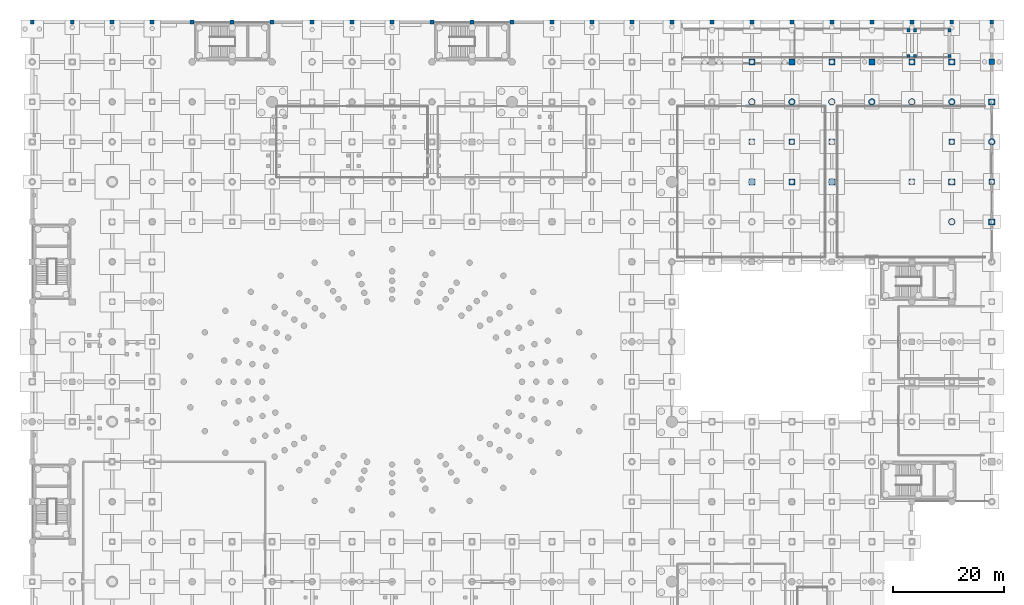
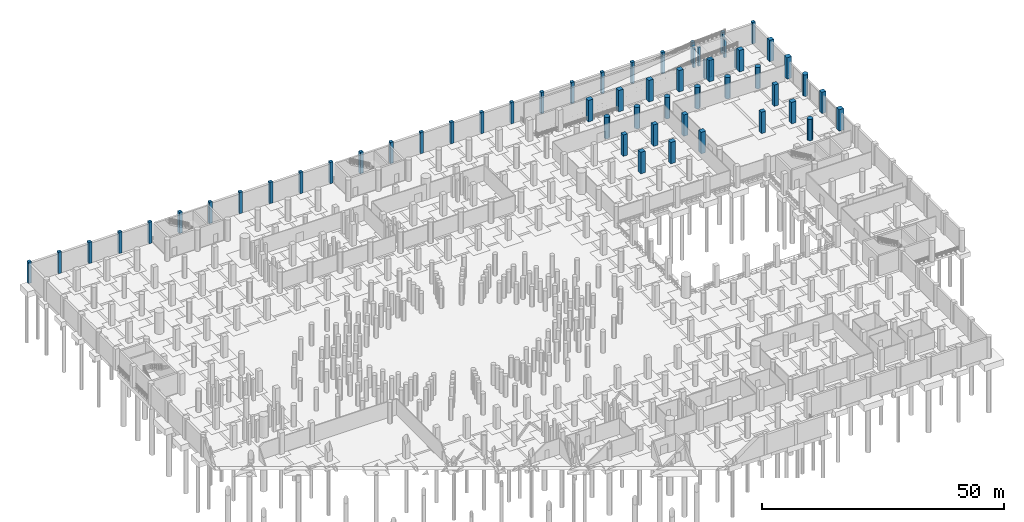
# One storey, part 20 of 37: 58 columns.
"""IFC4 building model written with IfcOpenShell, lengths in metres."""

from ifc_helpers import new_model, si_unit, direction, frame, origin, origin_2d, place, context, subcontext, project, spatial, rectangle, circle, extrude, material, material_profile, profile_set, type_object, element, save


model = new_model("IFC4")

# Units and contexts
model_context = context("Model", 3, precision=1e-05, world=origin(), true_north=direction((0.0, 1.0)))
body_context = subcontext(model_context, "Body", "Model", "MODEL_VIEW")
ifc_project = project(units=[si_unit("LENGTHUNIT", "METRE"), si_unit("AREAUNIT", "SQUARE_METRE"), si_unit("VOLUMEUNIT", "CUBIC_METRE"), si_unit("PLANEANGLEUNIT", "RADIAN"), si_unit("MASSUNIT", "GRAM", prefix="KILO")], contexts=[model_context])

# Site, building, storey
site_placement = place(None, origin())
site = spatial("IfcSite", under=ifc_project, at=site_placement, CompositionType="ELEMENT")
building_placement = place(site_placement, origin())
building = spatial("IfcBuilding", under=site, at=building_placement, Name="Qandorah Velis Arena", CompositionType="ELEMENT")
storey_placement = place(building_placement, frame((0.0, 0.0, -5.39990234375)))
storey = spatial("IfcBuildingStorey", under=building, at=storey_placement, Name="B1", CompositionType="ELEMENT", Elevation=-5.39990234375)

# Columns
ifc_material = material(Name="Concrete C40/50", Category="concrete")
ifc_material_profile_1 = material_profile(ifc_material, rectangle(XDim=1.0, YDim=1.0, at=origin_2d()), Name="RC COL 1000x1000")
ifc_profile_set_1 = profile_set([ifc_material_profile_1], Name="Concrete C40/50")
column_type_1 = type_object("IfcColumnType", Name="STR-COL-RC1000", PredefinedType="COLUMN", material=ifc_profile_set_1)
for number, where, z_axis, x_axis, name in (
    (1, (129.60009765625, 108.0, 0.0), (0.0, 0.0, 1.0), (1.0, 0.0, 0.0), "Structural column B1-271"),
    (2, (136.800048828125, 108.0, 0.0), (0.0, 0.0, 1.0), (1.0, 0.0, 0.0), "Structural column B1-286"),
    (3, (144.0, 108.0, 0.0), (0.0, 0.0, 1.0), (1.0, 0.0, 0.0), "Structural column B1-301"),
    (4, (158.39990234375, 100.800048828125, 0.0), (0.0, 0.0, 1.0), (1.0, 0.0, 0.0), "Structural column B1-331"),
    (5, (165.60009765625, 108.0, 0.0), (0.0, 0.0, 1.0), (1.0, 0.0, 0.0), "Structural column B1-343"),
    (6, (172.800048828125, 100.800048828125, 0.0), (0.0, 0.0, 1.0), (1.0, 0.0, 0.0), "Structural column B1-355"),
    (7, (172.800048828125, 122.39990234375, 0.0), (0.0, 0.0, 1.0), (1.0, 0.0, 0.0), "Structural column B1-358"),
):
    element("IfcColumn", number, at=place(storey_placement, frame(where, z_axis=z_axis, x_axis=x_axis)), inside=storey, type_object=column_type_1, Name=name, PredefinedType="COLUMN", context=body_context, shape_type="SweptSolid", body=[
        extrude(rectangle(XDim=1.0, YDim=1.0, at=origin_2d()), origin(), (0.0, 0.0, 1.0), 5.39990234375),
    ])
ifc_material_profile_2 = material_profile(ifc_material, rectangle(XDim=1.10009765625, YDim=1.10009765625, at=origin_2d()), Name="RC COL 1100x1100")
ifc_profile_set_2 = profile_set([ifc_material_profile_2], Name="Concrete C40/50")
column_type_2 = type_object("IfcColumnType", Name="STR-COL-RC1100", PredefinedType="COLUMN", material=ifc_profile_set_2)
for number, where, z_axis, x_axis, name in (
    (8, (129.60009765625, 100.800048828125, 0.0), (0.0, 0.0, 1.0), (1.0, 0.0, 0.0), "Structural column B1-270"),
    (9, (129.60009765625, 122.39990234375, 0.0), (0.0, 0.0, 1.0), (1.0, 0.0, 0.0), "Structural column B1-273"),
    (10, (136.800048828125, 100.800048828125, 0.0), (0.0, 0.0, 1.0), (1.0, 0.0, 0.0), "Structural column B1-285"),
    (11, (136.800048828125, 122.39990234375, 0.0), (0.0, 0.0, 1.0), (1.0, 0.0, 0.0), "Structural column B1-288"),
    (12, (144.0, 100.800048828125, 0.0), (0.0, 0.0, 1.0), (1.0, 0.0, 0.0), "Structural column B1-300"),
    (13, (144.0, 122.39990234375, 0.0), (0.0, 0.0, 1.0), (1.0, 0.0, 0.0), "Structural column B1-303"),
    (14, (151.199951171875, 122.39990234375, 0.0), (0.0, 0.0, 1.0), (1.0, 0.0, 0.0), "Structural column B1-318"),
    (15, (158.39990234375, 122.39990234375, 0.0), (0.0, 0.0, 1.0), (1.0, 0.0, 0.0), "Structural column B1-333"),
    (16, (165.60009765625, 100.800048828125, 0.0), (0.0, 0.0, 1.0), (1.0, 0.0, 0.0), "Structural column B1-342"),
    (17, (165.60009765625, 122.39990234375, 0.0), (0.0, 0.0, 1.0), (1.0, 0.0, 0.0), "Structural column B1-345"),
    (18, (172.800048828125, 93.60009765625, 0.0), (0.0, 0.0, 1.0), (1.0, 0.0, 0.0), "Structural column B1-354"),
    (19, (172.800048828125, 115.199951171875, 0.0), (0.0, 0.0, 1.0), (1.0, 0.0, 0.0), "Structural column B1-357"),
):
    element("IfcColumn", number, at=place(storey_placement, frame(where, z_axis=z_axis, x_axis=x_axis)), inside=storey, type_object=column_type_2, Name=name, PredefinedType="COLUMN", context=body_context, shape_type="SweptSolid", body=[
        extrude(rectangle(XDim=1.10009765625, YDim=1.10009765625, at=origin_2d()), origin(), (0.0, 0.0, 1.0), 5.39990234375),
    ])
ifc_material_profile_3 = material_profile(ifc_material, rectangle(XDim=0.550048828125, YDim=0.550048828125, at=origin_2d()), Name="RC COL 550x550")
ifc_profile_set_3 = profile_set([ifc_material_profile_3], Name="Concrete C40/50")
column_type_3 = type_object("IfcColumnType", Name="STR-COL-RC550", PredefinedType="COLUMN", material=ifc_profile_set_3)
for number, where, z_axis, x_axis, name in (
    (20, (157.800048828125, 123.5, 0.0), (0.0, 0.0, 1.0), (1.0, 0.0, 0.0), "Vehicle ramp landing column 05"),
    (21, (159.0, 123.5, 0.0), (0.0, 0.0, 1.0), (1.0, 0.0, 0.0), "Vehicle ramp landing column 06"),
    (22, (157.800048828125, 128.10009765625, 0.0), (0.0, 0.0, 1.0), (1.0, 0.0, 0.0), "Vehicle ramp landing column 07"),
    (23, (159.0, 128.10009765625, 0.0), (0.0, 0.0, 1.0), (1.0, 0.0, 0.0), "Vehicle ramp landing column 08"),
):
    element("IfcColumn", number, at=place(storey_placement, frame(where, z_axis=z_axis, x_axis=x_axis)), inside=storey, type_object=column_type_3, Name=name, PredefinedType="COLUMN", context=body_context, shape_type="SweptSolid", body=[
        extrude(rectangle(XDim=0.550048828125, YDim=0.550048828125, at=origin_2d()), origin(), (0.0, 0.0, 1.0), 4.699951171875),
    ])
for number, where, z_axis, x_axis, name in (
    (24, (165.199951171875, 123.5, 0.0), (0.0, 0.0, 1.0), (1.0, 0.0, 0.0), "Vehicle ramp landing column 09"),
    (25, (165.199951171875, 128.10009765625, 0.0), (0.0, 0.0, 1.0), (1.0, 0.0, 0.0), "Vehicle ramp landing column 10"),
):
    element("IfcColumn", number, at=place(storey_placement, frame(where, z_axis=z_axis, x_axis=x_axis)), inside=storey, type_object=column_type_3, Name=name, PredefinedType="COLUMN", context=body_context, shape_type="SweptSolid", body=[
        extrude(rectangle(XDim=0.550048828125, YDim=0.550048828125, at=origin_2d()), origin(), (0.0, 0.0, 1.0), 4.599853515625),
    ])
ifc_material_profile_4 = material_profile(ifc_material, rectangle(XDim=0.699951171875, YDim=0.699951171875, at=origin_2d()), Name="RC COL 700x700")
ifc_profile_set_4 = profile_set([ifc_material_profile_4], Name="Concrete C40/50")
column_type_4 = type_object("IfcColumnType", Name="STR-COL-RC700", PredefinedType="COLUMN", material=ifc_profile_set_4)
for number, where, z_axis, x_axis, name in (
    (26, (0.0, 129.60009765625, 0.0), (0.0, 0.0, 1.0), (1.0, 0.0, 0.0), "Structural column B1-018"),
    (27, (7.199951171875, 129.60009765625, 0.0), (0.0, 0.0, 1.0), (1.0, 0.0, 0.0), "Structural column B1-037"),
    (28, (14.39990234375, 129.60009765625, 0.0), (0.0, 0.0, 1.0), (1.0, 0.0, 0.0), "Structural column B1-056"),
    (29, (21.60009765625, 129.60009765625, 0.0), (0.0, 0.0, 1.0), (1.0, 0.0, 0.0), "Structural column B1-075"),
    (30, (28.800048828125, 129.60009765625, 0.0), (0.0, 0.0, 1.0), (1.0, 0.0, 0.0), "Structural column B1-087"),
    (31, (36.0, 129.60009765625, 0.0), (0.0, 0.0, 1.0), (1.0, 0.0, 0.0), "Structural column B1-099"),
    (32, (43.199951171875, 129.60009765625, 0.0), (0.0, 0.0, 1.0), (1.0, 0.0, 0.0), "Structural column B1-111"),
    (33, (50.39990234375, 129.60009765625, 0.0), (0.0, 0.0, 1.0), (1.0, 0.0, 0.0), "Structural column B1-123"),
    (34, (57.60009765625, 129.60009765625, 0.0), (0.0, 0.0, 1.0), (1.0, 0.0, 0.0), "Structural column B1-135"),
    (35, (64.800048828125, 129.60009765625, 0.0), (0.0, 0.0, 1.0), (1.0, 0.0, 0.0), "Structural column B1-147"),
    (36, (72.0, 129.60009765625, 0.0), (0.0, 0.0, 1.0), (1.0, 0.0, 0.0), "Structural column B1-159"),
    (37, (79.199951171875, 129.60009765625, 0.0), (0.0, 0.0, 1.0), (1.0, 0.0, 0.0), "Structural column B1-171"),
    (38, (86.39990234375, 129.60009765625, 0.0), (0.0, 0.0, 1.0), (1.0, 0.0, 0.0), "Structural column B1-183"),
    (39, (93.60009765625, 129.60009765625, 0.0), (0.0, 0.0, 1.0), (1.0, 0.0, 0.0), "Structural column B1-195"),
    (40, (100.800048828125, 129.60009765625, 0.0), (0.0, 0.0, 1.0), (1.0, 0.0, 0.0), "Structural column B1-207"),
    (41, (108.0, 129.60009765625, 0.0), (0.0, 0.0, 1.0), (1.0, 0.0, 0.0), "Structural column B1-226"),
    (42, (115.199951171875, 129.60009765625, 0.0), (0.0, 0.0, 1.0), (1.0, 0.0, 0.0), "Structural column B1-244"),
    (43, (122.39990234375, 129.60009765625, 0.0), (0.0, 0.0, 1.0), (1.0, 0.0, 0.0), "Structural column B1-259"),
    (44, (129.60009765625, 129.60009765625, 0.0), (0.0, 0.0, 1.0), (1.0, 0.0, 0.0), "Structural column B1-274"),
    (45, (136.800048828125, 129.60009765625, 0.0), (0.0, 0.0, 1.0), (1.0, 0.0, 0.0), "Structural column B1-289"),
    (46, (144.0, 129.60009765625, 0.0), (0.0, 0.0, 1.0), (1.0, 0.0, 0.0), "Structural column B1-304"),
    (47, (151.199951171875, 129.60009765625, 0.0), (0.0, 0.0, 1.0), (1.0, 0.0, 0.0), "Structural column B1-319"),
    (48, (158.39990234375, 129.60009765625, 0.0), (0.0, 0.0, 1.0), (1.0, 0.0, 0.0), "Structural column B1-334"),
    (49, (165.60009765625, 129.60009765625, 0.0), (0.0, 0.0, 1.0), (1.0, 0.0, 0.0), "Structural column B1-346"),
    (50, (172.800048828125, 129.60009765625, 0.0), (0.0, 0.0, 1.0), (1.0, 0.0, 0.0), "Structural column B1-359"),
):
    element("IfcColumn", number, at=place(storey_placement, frame(where, z_axis=z_axis, x_axis=x_axis)), inside=storey, type_object=column_type_4, Name=name, PredefinedType="COLUMN", context=body_context, shape_type="SweptSolid", body=[
        extrude(rectangle(XDim=0.699951171875, YDim=0.699951171875, at=origin_2d()), origin(), (0.0, 0.0, 1.0), 5.39990234375),
    ])
ifc_material_profile_5 = material_profile(ifc_material, circle(Radius=0.60009765625, at=origin_2d()), Name="RC D1200")
ifc_profile_set_5 = profile_set([ifc_material_profile_5], Name="Concrete C40/50")
column_type_5 = type_object("IfcColumnType", Name="STR-COL-RCD1200", PredefinedType="COLUMN", material=ifc_profile_set_5)
for number, where, z_axis, x_axis, name in (
    (51, (129.60009765625, 115.199951171875, 0.0), (0.0, 0.0, 1.0), (1.0, 0.0, 0.0), "Structural column B1-272"),
    (52, (136.800048828125, 115.199951171875, 0.0), (0.0, 0.0, 1.0), (1.0, 0.0, 0.0), "Structural column B1-287"),
    (53, (144.0, 115.199951171875, 0.0), (0.0, 0.0, 1.0), (1.0, 0.0, 0.0), "Structural column B1-302"),
    (54, (151.199951171875, 115.199951171875, 0.0), (0.0, 0.0, 1.0), (1.0, 0.0, 0.0), "Structural column B1-317"),
    (55, (158.39990234375, 115.199951171875, 0.0), (0.0, 0.0, 1.0), (1.0, 0.0, 0.0), "Structural column B1-332"),
    (56, (165.60009765625, 93.60009765625, 0.0), (0.0, 0.0, 1.0), (1.0, 0.0, 0.0), "Structural column B1-341"),
    (57, (165.60009765625, 115.199951171875, 0.0), (0.0, 0.0, 1.0), (1.0, 0.0, 0.0), "Structural column B1-344"),
    (58, (172.800048828125, 108.0, 0.0), (0.0, 0.0, 1.0), (1.0, 0.0, 0.0), "Structural column B1-356"),
):
    element("IfcColumn", number, at=place(storey_placement, frame(where, z_axis=z_axis, x_axis=x_axis)), inside=storey, type_object=column_type_5, Name=name, PredefinedType="COLUMN", context=body_context, shape_type="SweptSolid", body=[
        extrude(circle(Radius=0.60009765625, at=origin_2d()), origin(), (0.0, 0.0, 1.0), 5.39990234375),
    ])

save(model, "model.ifc")
